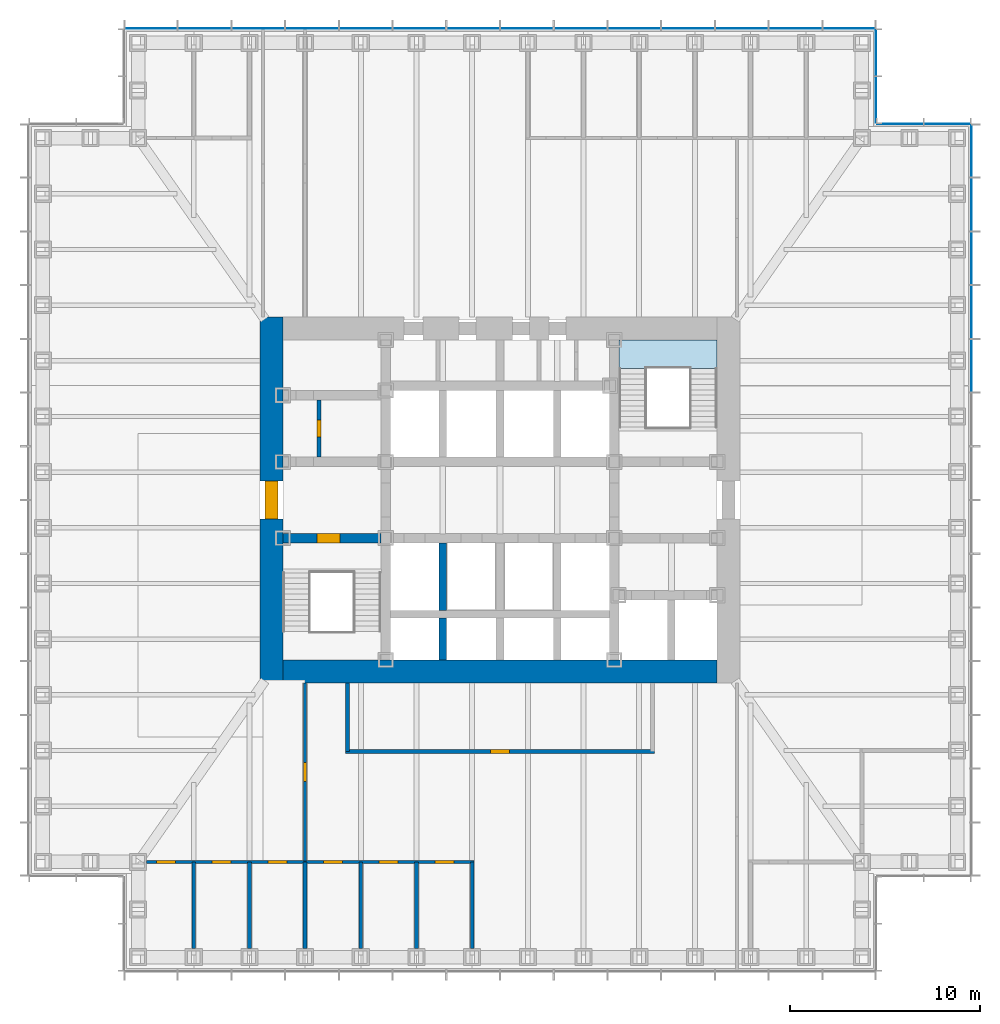
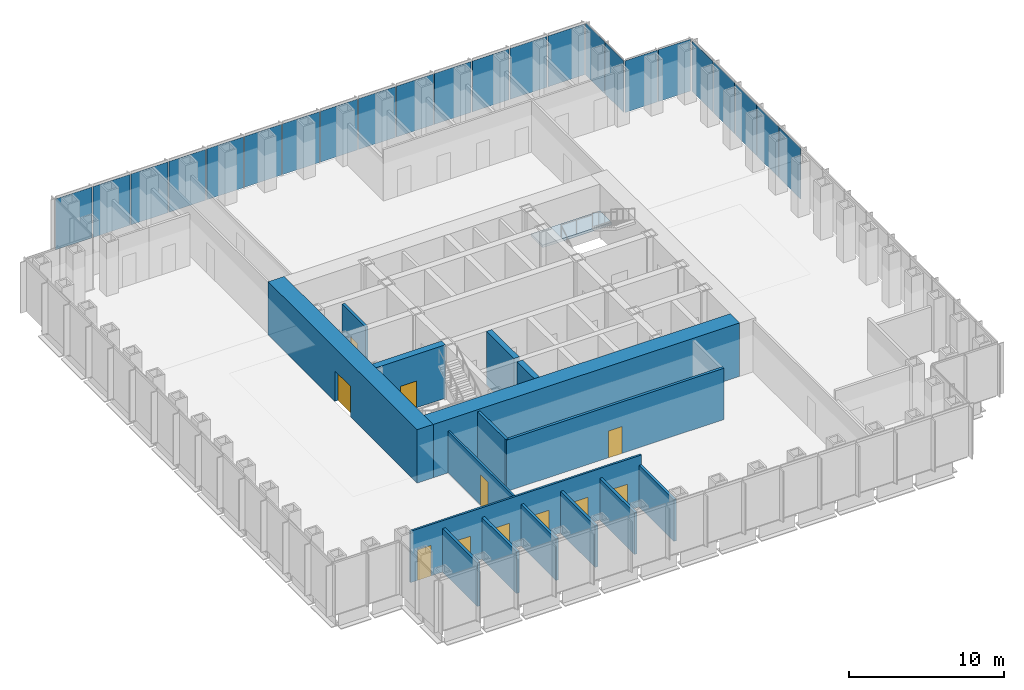
# One storey, part 8 of 16: 23 plates, 16 walls, 11 doors, 1 slab, 11 openings, 5 elements without a shape of their own.
"""IFC4 building model written with IfcOpenShell, lengths in metres."""

import ifcopenshell
import ifcopenshell.guid

model = None  # the IFC model being written
_history = None  # IfcOwnerHistory: only IFC2X3 demands one
_inside = {}  # id of a spatial element -> (the spatial element, [elements in it])
_under = {}  # id of a project, library or spatial element -> (it, [spatial elements below it])
_declared = {}  # id of a project -> (the project, [libraries it declares])
_typed = {}  # id of a type object -> (the type object, [elements of that type])
_made_of = {}  # id of a material, layer set ... -> (it, [elements and type objects made of it])


def new_model(schema):
    """Start an empty IFC model of exactly this schema.

    Asked for "IFC4X3", IfcOpenShell would pick the latest addendum, in which some entities
    have other attributes; the version numbers below select the first issue.
    IFC2X3 requires an IfcOwnerHistory on every rooted entity: one is made here for all.
    """
    global model, _history
    if schema == "IFC4X3":
        model = ifcopenshell.file(schema_version=(4, 3, 0, 0))
    else:
        model = ifcopenshell.file(schema=schema)
    _inside.clear()
    _under.clear()
    _declared.clear()
    _typed.clear()
    _made_of.clear()
    _history = None
    if model.schema == "IFC2X3":
        org = make("IfcOrganization", Name="unknown")
        user = make(
            "IfcPersonAndOrganization",
            ThePerson=make("IfcPerson", FamilyName="unknown"),
            TheOrganization=org,
        )
        app = make(
            "IfcApplication",
            ApplicationDeveloper=org,
            Version="unknown",
            ApplicationFullName="unknown",
            ApplicationIdentifier="unknown",
        )
        _history = make(
            "IfcOwnerHistory",
            OwningUser=user,
            OwningApplication=app,
            ChangeAction="ADDED",
            CreationDate=0,
        )
    return model


def make(cls, **values):
    """One entity of the class cls with the attributes given. An attribute that is None is left unset."""
    return model.create_entity(
        cls, **{name: value for name, value in values.items() if value is not None}
    )


def rooted(cls, **values):
    """An entity with a GlobalId (a new one), such as an element, a storey or a relation."""
    return make(cls, GlobalId=ifcopenshell.guid.new(), OwnerHistory=_history, **values)


def si_unit(unit_type, name, prefix=None):
    """IfcSIUnit, for example si_unit("LENGTHUNIT", "METRE", prefix="MILLI")."""
    return make("IfcSIUnit", UnitType=unit_type, Prefix=prefix, Name=name)


def assignment(units):
    """IfcUnitAssignment: the units of a project."""
    return None if units is None else make("IfcUnitAssignment", Units=units)


def point(xyz):
    """IfcCartesianPoint."""
    return None if xyz is None else make("IfcCartesianPoint", Coordinates=xyz)


def direction(xyz):
    """IfcDirection."""
    return None if xyz is None else make("IfcDirection", DirectionRatios=xyz)


def frame(location, z_axis=None, x_axis=None):
    """IfcAxis2Placement3D, a coordinate frame: its origin and axes. An axis left out is left unset."""
    return make(
        "IfcAxis2Placement3D",
        Location=point(location),
        Axis=direction(z_axis),
        RefDirection=direction(x_axis),
    )


def frame_2d(location, x_axis=None):
    """IfcAxis2Placement2D, a coordinate frame in the plane: its origin and x axis."""
    return make(
        "IfcAxis2Placement2D", Location=point(location), RefDirection=direction(x_axis)
    )


def origin():
    """The frame at (0, 0, 0) with its axes left unset."""
    return frame((0.0, 0.0, 0.0))


def origin_2d():
    """The frame at (0, 0) in the plane with its x axis left unset."""
    return frame_2d((0.0, 0.0))


def place(relative_to, where):
    """IfcLocalPlacement: puts the frame where relative to a parent placement (None: the world)."""
    return make(
        "IfcLocalPlacement", PlacementRelTo=relative_to, RelativePlacement=where
    )


def context(
    kind, dimensions, precision=None, world=None, true_north=None, identifier=None
):
    """IfcGeometricRepresentationContext, for example the 3D "Model" context."""
    return make(
        "IfcGeometricRepresentationContext",
        ContextIdentifier=identifier,
        ContextType=kind,
        CoordinateSpaceDimension=dimensions,
        Precision=precision,
        WorldCoordinateSystem=world,
        TrueNorth=true_north,
    )


def subcontext(parent, identifier, kind, view, scale=None):
    """IfcGeometricRepresentationSubContext, for example "Body" below "Model"."""
    return make(
        "IfcGeometricRepresentationSubContext",
        ContextIdentifier=identifier,
        ContextType=kind,
        ParentContext=parent,
        TargetScale=scale,
        TargetView=view,
    )


def project(units=None, contexts=None):
    """IfcProject with its units and contexts."""
    return rooted(
        "IfcProject",
        Name="project",
        RepresentationContexts=contexts,
        UnitsInContext=assignment(units),
    )


def spatial(cls, under=None, at=None, **own):
    """A site, building, storey or space (cls), placed at a placement, below another one or the project."""
    s = rooted(cls, ObjectPlacement=at, **own)
    if under is not None:
        _under.setdefault(under.id(), (under, []))[1].append(s)
    return s


def polyline(points):
    """IfcPolyline through the points."""
    return make("IfcPolyline", Points=[point(p) for p in points])


def profile(cls, at=None, kind="AREA", **sizes):
    """A parametric profile (cls). Its sizes go by their IFC names, for example OverallWidth=200.0."""
    return make(cls, ProfileType=kind, Position=at, **sizes)


def rectangle(**sizes):
    """IfcRectangleProfileDef."""
    return profile("IfcRectangleProfileDef", **sizes)


def outline(outer, holes=None, kind="AREA"):
    """IfcArbitraryClosedProfileDef: a profile drawn as a closed curve; with holes, ...WithVoids."""
    if holes is None:
        return make("IfcArbitraryClosedProfileDef", ProfileType=kind, OuterCurve=outer)
    return make(
        "IfcArbitraryProfileDefWithVoids",
        ProfileType=kind,
        OuterCurve=outer,
        InnerCurves=holes,
    )


def extrude(swept, where, along, depth):
    """IfcExtrudedAreaSolid: the profile swept, set in the frame where, extruded along a direction by depth."""
    return make(
        "IfcExtrudedAreaSolid",
        SweptArea=swept,
        Position=where,
        ExtrudedDirection=direction(along),
        Depth=depth,
    )


def shape(context_of_items, identifier, shape_type, items):
    """IfcShapeRepresentation: the items that make up one representation, for example the "Body"."""
    return make(
        "IfcShapeRepresentation",
        ContextOfItems=context_of_items,
        RepresentationIdentifier=identifier,
        RepresentationType=shape_type,
        Items=items,
    )


def material(Name=None, Category=None):
    """IfcMaterial."""
    return make("IfcMaterial", Name=Name, Category=Category)


def layer(
    of_material, thickness, ventilated=None, Name=None, Category=None, Priority=None
):
    """IfcMaterialLayer: one layer of a wall or slab, of a material (None: an air gap)."""
    return make(
        "IfcMaterialLayer",
        Material=of_material,
        LayerThickness=thickness,
        IsVentilated=ventilated,
        Name=Name,
        Category=Category,
        Priority=Priority,
    )


def layer_set(layers, Name=None):
    """IfcMaterialLayerSet."""
    return make("IfcMaterialLayerSet", MaterialLayers=layers, LayerSetName=Name)


def made_of(thing, what):
    """Note that an element or type object is made of a material, layer set ...; save() writes the relation."""
    if what is not None:
        _made_of.setdefault(what.id(), (what, []))[1].append(thing)
    return thing


def type_object(cls, material=None, **own):
    """A type object (cls), such as IfcWallType, which elements share."""
    return made_of(rooted(cls, **own), material)


def element(
    cls,
    number,
    at=None,
    inside=None,
    cuts=None,
    type_object=None,
    material=None,
    context=None,
    identifier="Body",
    shape_type=None,
    held_by="IfcProductDefinitionShape",
    body=None,
    shapes=None,
    **own,
):
    """One element of the class cls, such as IfcWall. Its Tag is "e" and its number.

    at: its placement. inside: the storey or other place that contains it. cuts: it is an
    opening in that element (IfcRelVoidsElement). A single representation is given by context,
    identifier, shape_type and body (its items); several are given by shapes. held_by: the class
    of the entity that holds the representations. save() writes the other relations.
    """
    e = rooted(cls, Tag="e%d" % number, ObjectPlacement=at, **own)
    if body is not None:
        shapes = [shape(context, identifier, shape_type, body)]
    if shapes is not None:
        e.Representation = make(held_by, Representations=shapes)
    if inside is not None:
        _inside.setdefault(inside.id(), (inside, []))[1].append(e)
    if cuts is not None:
        rooted(
            "IfcRelVoidsElement", RelatingBuildingElement=cuts, RelatedOpeningElement=e
        )
    if type_object is not None:
        _typed.setdefault(type_object.id(), (type_object, []))[1].append(e)
    return made_of(e, material)


def fill(opening, filler):
    """IfcRelFillsElement: the door or window that sits in an opening."""
    return rooted(
        "IfcRelFillsElement",
        RelatingOpeningElement=opening,
        RelatedBuildingElement=filler,
    )


def aggregate(whole, parts):
    """IfcRelAggregates: a whole, such as a stair, and the parts it consists of."""
    return rooted("IfcRelAggregates", RelatingObject=whole, RelatedObjects=parts)


def save(model, path):
    """Write the relations noted so far, then the file.

    IfcRelAggregates (storeys below a building ...), IfcRelContainedInSpatialStructure (elements
    in a storey), IfcRelDefinesByType, IfcRelAssociatesMaterial and IfcRelDeclares: one each for
    every whole, place, type object, material and project.
    """
    for whole, parts in _under.values():
        aggregate(whole, parts)
    for where, things in _inside.values():
        rooted(
            "IfcRelContainedInSpatialStructure",
            RelatedElements=things,
            RelatingStructure=where,
        )
    for kind, things in _typed.values():
        rooted("IfcRelDefinesByType", RelatedObjects=things, RelatingType=kind)
    for what, things in _made_of.values():
        rooted("IfcRelAssociatesMaterial", RelatedObjects=things, RelatingMaterial=what)
    for by, libraries in _declared.values():
        rooted("IfcRelDeclares", RelatingContext=by, RelatedDefinitions=libraries)
    model.write(path)


model = new_model("IFC4")

# Units and contexts
model_context = context("Model", 3, precision=1e-05, world=origin(), true_north=direction((0.0, 1.0)))
body_context = subcontext(model_context, "Body", "Model", "MODEL_VIEW")
ifc_project = project(units=[si_unit("LENGTHUNIT", "METRE"), si_unit("AREAUNIT", "SQUARE_METRE"), si_unit("VOLUMEUNIT", "CUBIC_METRE"), si_unit("PLANEANGLEUNIT", "RADIAN"), si_unit("MASSUNIT", "GRAM", prefix="KILO")], contexts=[model_context])

# Site, building, storey
site_placement = place(None, origin())
site = spatial("IfcSite", under=ifc_project, at=site_placement, CompositionType="ELEMENT")
building_placement = place(site_placement, origin())
building = spatial("IfcBuilding", under=site, at=building_placement, Name="Daluyong Arena Tower", CompositionType="ELEMENT")
storey_placement = place(building_placement, frame((0.0, 0.0, 93.699951171875)))
storey = spatial("IfcBuildingStorey", under=building, at=storey_placement, Name="L20", CompositionType="ELEMENT", Elevation=93.699951171875)

# Curtain wall, plates
ifc_material_1 = material(Name="Bronze anodised aluminium and glass", Category="aluminium")
curtain_wall_type_1 = type_object("IfcCurtainWallType", Name="Curtain wall CW1", PredefinedType="USERDEFINED", material=ifc_material_1)
curtain_wall_1_placement = place(storey_placement, origin())
curtain_wall_1 = element("IfcCurtainWall", 1, at=curtain_wall_1_placement, inside=storey, type_object=curtain_wall_type_1, Name="curtain wall L20 E", ObjectType="UNITISED CURTAIN WALL", PredefinedType="USERDEFINED")
ifc_material_2 = material(Name="Tinted double glazed unit", Category="glass")
ifc_layer_1 = layer(ifc_material_2, 0.031982421875)
ifc_layer_set_1 = layer_set([ifc_layer_1], Name="Tinted double glazed unit")
plate_type_1 = type_object("IfcPlateType", Name="CW1 panel 32", PredefinedType="CURTAIN_PANEL", material=ifc_layer_set_1)
plate_1_placement = place(storey_placement, frame((80.75, 87.053466796875, 0.0), z_axis=(0.0, 0.0, 1.0), x_axis=(0.0, 1.0, 0.0)))
plate_1 = element("IfcPlate", 2, at=plate_1_placement, type_object=plate_type_1, Name="curtain wall L20 E panel 10", PredefinedType="CURTAIN_PANEL", context=body_context, shape_type="SweptSolid", body=[
    extrude(rectangle(XDim=2.741455078125, YDim=0.031982421875, at=origin_2d()), origin(), (0.0, 0.0, 1.0), 4.0),
])
plate_2_placement = place(storey_placement, frame((80.75, 89.875, 0.0), z_axis=(0.0, 0.0, 1.0), x_axis=(0.0, 1.0, 0.0)))
plate_2 = element("IfcPlate", 3, at=plate_2_placement, type_object=plate_type_1, Name="curtain wall L20 E panel 11", PredefinedType="CURTAIN_PANEL", context=body_context, shape_type="SweptSolid", body=[
    extrude(rectangle(XDim=2.741455078125, YDim=0.031982421875, at=origin_2d()), origin(), (0.0, 0.0, 1.0), 4.0),
])
plate_3_placement = place(storey_placement, frame((80.75, 92.696533203125, 0.0), z_axis=(0.0, 0.0, 1.0), x_axis=(0.0, 1.0, 0.0)))
plate_3 = element("IfcPlate", 4, at=plate_3_placement, type_object=plate_type_1, Name="curtain wall L20 E panel 12", PredefinedType="CURTAIN_PANEL", context=body_context, shape_type="SweptSolid", body=[
    extrude(rectangle(XDim=2.741455078125, YDim=0.031982421875, at=origin_2d()), origin(), (0.0, 0.0, 1.0), 4.0),
])
plate_4_placement = place(storey_placement, frame((80.75, 95.517822265625, 0.0), z_axis=(0.0, 0.0, 1.0), x_axis=(0.0, 1.0, 0.0)))
plate_4 = element("IfcPlate", 5, at=plate_4_placement, type_object=plate_type_1, Name="curtain wall L20 E panel 13", PredefinedType="CURTAIN_PANEL", context=body_context, shape_type="SweptSolid", body=[
    extrude(rectangle(XDim=2.741455078125, YDim=0.031982421875, at=origin_2d()), origin(), (0.0, 0.0, 1.0), 4.0),
])
plate_5_placement = place(storey_placement, frame((80.75, 98.3193359375, 0.0), z_axis=(0.0, 0.0, 1.0), x_axis=(0.0, 1.0, 0.0)))
plate_5 = element("IfcPlate", 6, at=plate_5_placement, type_object=plate_type_1, Name="curtain wall L20 E panel 14", PredefinedType="CURTAIN_PANEL", context=body_context, shape_type="SweptSolid", body=[
    extrude(rectangle(XDim=2.701416015625, YDim=0.031982421875, at=origin_2d()), origin(), (0.0, 0.0, 1.0), 4.0),
])
aggregate(curtain_wall_1, [plate_1, plate_2, plate_3, plate_4, plate_5])

curtain_wall_2_placement = place(storey_placement, origin())
curtain_wall_2 = element("IfcCurtainWall", 7, at=curtain_wall_2_placement, inside=storey, type_object=curtain_wall_type_1, Name="curtain wall L20 N", ObjectType="UNITISED CURTAIN WALL", PredefinedType="USERDEFINED")
plate_6_placement = place(storey_placement, frame((74.3193359375, 104.75, 0.0), z_axis=(0.0, 0.0, 1.0), x_axis=(-1.0, 0.0, 0.0)))
plate_6 = element("IfcPlate", 8, at=plate_6_placement, type_object=plate_type_1, Name="curtain wall L20 N panel 1", PredefinedType="CURTAIN_PANEL", context=body_context, shape_type="SweptSolid", body=[
    extrude(rectangle(XDim=2.701416015625, YDim=0.031982421875, at=origin_2d()), origin(), (0.0, 0.0, 1.0), 4.0),
])
plate_7_placement = place(storey_placement, frame((71.517822265625, 104.75, 0.0), z_axis=(0.0, 0.0, 1.0), x_axis=(-1.0, 0.0, 0.0)))
plate_7 = element("IfcPlate", 9, at=plate_7_placement, type_object=plate_type_1, Name="curtain wall L20 N panel 2", PredefinedType="CURTAIN_PANEL", context=body_context, shape_type="SweptSolid", body=[
    extrude(rectangle(XDim=2.741455078125, YDim=0.031982421875, at=origin_2d()), origin(), (0.0, 0.0, 1.0), 4.0),
])
plate_8_placement = place(storey_placement, frame((68.696533203125, 104.75, 0.0), z_axis=(0.0, 0.0, 1.0), x_axis=(-1.0, 0.0, 0.0)))
plate_8 = element("IfcPlate", 10, at=plate_8_placement, type_object=plate_type_1, Name="curtain wall L20 N panel 3", PredefinedType="CURTAIN_PANEL", context=body_context, shape_type="SweptSolid", body=[
    extrude(rectangle(XDim=2.741455078125, YDim=0.031982421875, at=origin_2d()), origin(), (0.0, 0.0, 1.0), 4.0),
])
plate_9_placement = place(storey_placement, frame((65.875, 104.75, 0.0), z_axis=(0.0, 0.0, 1.0), x_axis=(-1.0, 0.0, 0.0)))
plate_9 = element("IfcPlate", 11, at=plate_9_placement, type_object=plate_type_1, Name="curtain wall L20 N panel 4", PredefinedType="CURTAIN_PANEL", context=body_context, shape_type="SweptSolid", body=[
    extrude(rectangle(XDim=2.741455078125, YDim=0.031982421875, at=origin_2d()), origin(), (0.0, 0.0, 1.0), 4.0),
])
plate_10_placement = place(storey_placement, frame((63.053466796875, 104.75, 0.0), z_axis=(0.0, 0.0, 1.0), x_axis=(-1.0, 0.0, 0.0)))
plate_10 = element("IfcPlate", 12, at=plate_10_placement, type_object=plate_type_1, Name="curtain wall L20 N panel 5", PredefinedType="CURTAIN_PANEL", context=body_context, shape_type="SweptSolid", body=[
    extrude(rectangle(XDim=2.741455078125, YDim=0.031982421875, at=origin_2d()), origin(), (0.0, 0.0, 1.0), 4.0),
])
plate_11_placement = place(storey_placement, frame((60.232177734375, 104.75, 0.0), z_axis=(0.0, 0.0, 1.0), x_axis=(-1.0, 0.0, 0.0)))
plate_11 = element("IfcPlate", 13, at=plate_11_placement, type_object=plate_type_1, Name="curtain wall L20 N panel 6", PredefinedType="CURTAIN_PANEL", context=body_context, shape_type="SweptSolid", body=[
    extrude(rectangle(XDim=2.741455078125, YDim=0.031982421875, at=origin_2d()), origin(), (0.0, 0.0, 1.0), 4.0),
])
plate_12_placement = place(storey_placement, frame((57.41064453125, 104.75, 0.0), z_axis=(0.0, 0.0, 1.0), x_axis=(-1.0, 0.0, 0.0)))
plate_12 = element("IfcPlate", 14, at=plate_12_placement, type_object=plate_type_1, Name="curtain wall L20 N panel 7", PredefinedType="CURTAIN_PANEL", context=body_context, shape_type="SweptSolid", body=[
    extrude(rectangle(XDim=2.741455078125, YDim=0.031982421875, at=origin_2d()), origin(), (0.0, 0.0, 1.0), 4.0),
])
plate_13_placement = place(storey_placement, frame((54.58935546875, 104.75, 0.0), z_axis=(0.0, 0.0, 1.0), x_axis=(-1.0, 0.0, 0.0)))
plate_13 = element("IfcPlate", 15, at=plate_13_placement, type_object=plate_type_1, Name="curtain wall L20 N panel 8", PredefinedType="CURTAIN_PANEL", context=body_context, shape_type="SweptSolid", body=[
    extrude(rectangle(XDim=2.741455078125, YDim=0.031982421875, at=origin_2d()), origin(), (0.0, 0.0, 1.0), 4.0),
])
plate_14_placement = place(storey_placement, frame((51.767822265625, 104.75, 0.0), z_axis=(0.0, 0.0, 1.0), x_axis=(-1.0, 0.0, 0.0)))
plate_14 = element("IfcPlate", 16, at=plate_14_placement, type_object=plate_type_1, Name="curtain wall L20 N panel 9", PredefinedType="CURTAIN_PANEL", context=body_context, shape_type="SweptSolid", body=[
    extrude(rectangle(XDim=2.741455078125, YDim=0.031982421875, at=origin_2d()), origin(), (0.0, 0.0, 1.0), 4.0),
])
plate_15_placement = place(storey_placement, frame((48.946533203125, 104.75, 0.0), z_axis=(0.0, 0.0, 1.0), x_axis=(-1.0, 0.0, 0.0)))
plate_15 = element("IfcPlate", 17, at=plate_15_placement, type_object=plate_type_1, Name="curtain wall L20 N panel 10", PredefinedType="CURTAIN_PANEL", context=body_context, shape_type="SweptSolid", body=[
    extrude(rectangle(XDim=2.741455078125, YDim=0.031982421875, at=origin_2d()), origin(), (0.0, 0.0, 1.0), 4.0),
])
plate_16_placement = place(storey_placement, frame((46.125, 104.75, 0.0), z_axis=(0.0, 0.0, 1.0), x_axis=(-1.0, 0.0, 0.0)))
plate_16 = element("IfcPlate", 18, at=plate_16_placement, type_object=plate_type_1, Name="curtain wall L20 N panel 11", PredefinedType="CURTAIN_PANEL", context=body_context, shape_type="SweptSolid", body=[
    extrude(rectangle(XDim=2.741455078125, YDim=0.031982421875, at=origin_2d()), origin(), (0.0, 0.0, 1.0), 4.0),
])
plate_17_placement = place(storey_placement, frame((43.303466796875, 104.75, 0.0), z_axis=(0.0, 0.0, 1.0), x_axis=(-1.0, 0.0, 0.0)))
plate_17 = element("IfcPlate", 19, at=plate_17_placement, type_object=plate_type_1, Name="curtain wall L20 N panel 12", PredefinedType="CURTAIN_PANEL", context=body_context, shape_type="SweptSolid", body=[
    extrude(rectangle(XDim=2.741455078125, YDim=0.031982421875, at=origin_2d()), origin(), (0.0, 0.0, 1.0), 4.0),
])
plate_18_placement = place(storey_placement, frame((40.482177734375, 104.75, 0.0), z_axis=(0.0, 0.0, 1.0), x_axis=(-1.0, 0.0, 0.0)))
plate_18 = element("IfcPlate", 20, at=plate_18_placement, type_object=plate_type_1, Name="curtain wall L20 N panel 13", PredefinedType="CURTAIN_PANEL", context=body_context, shape_type="SweptSolid", body=[
    extrude(rectangle(XDim=2.741455078125, YDim=0.031982421875, at=origin_2d()), origin(), (0.0, 0.0, 1.0), 4.0),
])
plate_19_placement = place(storey_placement, frame((37.6806640625, 104.75, 0.0), z_axis=(0.0, 0.0, 1.0), x_axis=(-1.0, 0.0, 0.0)))
plate_19 = element("IfcPlate", 21, at=plate_19_placement, type_object=plate_type_1, Name="curtain wall L20 N panel 14", PredefinedType="CURTAIN_PANEL", context=body_context, shape_type="SweptSolid", body=[
    extrude(rectangle(XDim=2.701416015625, YDim=0.031982421875, at=origin_2d()), origin(), (0.0, 0.0, 1.0), 4.0),
])
aggregate(curtain_wall_2, [plate_6, plate_7, plate_8, plate_9, plate_10, plate_11, plate_12, plate_13, plate_14, plate_15, plate_16, plate_17, plate_18, plate_19])

ifc_material_3 = material(Name="Bronze anodised aluminium and glass", Category="aluminium")
curtain_wall_type_2 = type_object("IfcCurtainWallType", Name="Curtain wall CW7", PredefinedType="USERDEFINED", material=ifc_material_3)
curtain_wall_3_placement = place(storey_placement, origin())
curtain_wall_3 = element("IfcCurtainWall", 22, at=curtain_wall_3_placement, inside=storey, type_object=curtain_wall_type_2, Name="curtain wall L20 NE-N", ObjectType="UNITISED CURTAIN WALL", PredefinedType="USERDEFINED")
ifc_material_4 = material(Name="Tinted double glazed unit", Category="glass")
ifc_layer_2 = layer(ifc_material_4, 0.028076171875)
ifc_layer_set_2 = layer_set([ifc_layer_2], Name="Tinted double glazed unit")
plate_type_2 = type_object("IfcPlateType", Name="CW7 panel 28", PredefinedType="CURTAIN_PANEL", material=ifc_layer_set_2)
plate_20_placement = place(storey_placement, frame((79.485107421875, 99.75, 0.0), z_axis=(0.0, 0.0, 1.0), x_axis=(-1.0, 0.0, 0.0)))
plate_20 = element("IfcPlate", 23, at=plate_20_placement, type_object=plate_type_2, Name="curtain wall L20 NE-N panel 1", PredefinedType="CURTAIN_PANEL", context=body_context, shape_type="SweptSolid", body=[
    extrude(rectangle(XDim=2.409912109375, YDim=0.028076171875, at=origin_2d()), origin(), (0.0, 0.0, 1.0), 4.080078125),
])
plate_21_placement = place(storey_placement, frame((77.014892578125, 99.75, 0.0), z_axis=(0.0, 0.0, 1.0), x_axis=(-1.0, 0.0, 0.0)))
plate_21 = element("IfcPlate", 24, at=plate_21_placement, type_object=plate_type_2, Name="curtain wall L20 NE-N panel 2", PredefinedType="CURTAIN_PANEL", context=body_context, shape_type="SweptSolid", body=[
    extrude(rectangle(XDim=2.409912109375, YDim=0.028076171875, at=origin_2d()), origin(), (0.0, 0.0, 1.0), 4.080078125),
])
aggregate(curtain_wall_3, [plate_20, plate_21])

curtain_wall_4_placement = place(storey_placement, origin())
curtain_wall_4 = element("IfcCurtainWall", 25, at=curtain_wall_4_placement, inside=storey, type_object=curtain_wall_type_2, Name="curtain wall L20 NE-E", ObjectType="UNITISED CURTAIN WALL", PredefinedType="USERDEFINED")
plate_22_placement = place(storey_placement, frame((75.75, 101.014892578125, 0.0), z_axis=(0.0, 0.0, 1.0), x_axis=(0.0, 1.0, 0.0)))
plate_22 = element("IfcPlate", 26, at=plate_22_placement, type_object=plate_type_2, Name="curtain wall L20 NE-E panel 1", PredefinedType="CURTAIN_PANEL", context=body_context, shape_type="SweptSolid", body=[
    extrude(rectangle(XDim=2.409912109375, YDim=0.028076171875, at=origin_2d()), origin(), (0.0, 0.0, 1.0), 4.080078125),
])
plate_23_placement = place(storey_placement, frame((75.75, 103.485107421875, 0.0), z_axis=(0.0, 0.0, 1.0), x_axis=(0.0, 1.0, 0.0)))
plate_23 = element("IfcPlate", 27, at=plate_23_placement, type_object=plate_type_2, Name="curtain wall L20 NE-E panel 2", PredefinedType="CURTAIN_PANEL", context=body_context, shape_type="SweptSolid", body=[
    extrude(rectangle(XDim=2.409912109375, YDim=0.028076171875, at=origin_2d()), origin(), (0.0, 0.0, 1.0), 4.080078125),
])
aggregate(curtain_wall_4, [plate_22, plate_23])

# Stair, slab
ifc_material_5 = material(Name="Concrete fc' 35 MPa", Category="concrete")
stair_type = type_object("IfcStairType", Name="Core exit stair", PredefinedType="HALF_TURN_STAIR", material=ifc_material_5)
stair_placement = place(storey_placement, origin())
stair = element("IfcStair", 28, at=stair_placement, inside=storey, type_object=stair_type, Name="exit stair B L20", PredefinedType="HALF_TURN_STAIR")
ifc_material_6 = material(Name="Concrete fc' 35 MPa", Category="concrete")
ifc_layer_3 = layer(ifc_material_6, 0.199951171875)
ifc_layer_set_3 = layer_set([ifc_layer_3], Name="Concrete fc' 35 MPa")
slab_type = type_object("IfcSlabType", Name="Stair landing 200", PredefinedType="LANDING", material=ifc_layer_set_3)
slab_placement = place(storey_placement, frame((0.0, 0.0, 1.900146484375)))
slab = element("IfcSlab", 29, at=slab_placement, type_object=slab_type, Name="STB landing 1", PredefinedType="LANDING", context=body_context, shape_type="SweptSolid", body=[
    extrude(outline(polyline([(62.25, 86.905029296875), (67.39990234375, 86.905029296875), (67.39990234375, 88.39990234375), (62.25, 88.39990234375), (62.25, 86.905029296875)])), origin(), (0.0, 0.0, 1.0), 0.199951171875),
])
aggregate(stair, [slab])

# Wall, opening, door
ifc_material_7 = material(Name="Concrete fc' 45 MPa", Category="concrete")
ifc_layer_4 = layer(ifc_material_7, 0.5)
ifc_layer_set_4 = layer_set([ifc_layer_4], Name="Concrete fc' 45 MPa")
wall_type_1 = type_object("IfcWallType", Name="Core inner wall 500", PredefinedType="SHEAR", material=ifc_layer_set_4)
wall_1_placement = place(storey_placement, frame((44.60009765625, 78.0, 0.0), z_axis=(0.0, 0.0, 1.0), x_axis=(1.0, 0.0, 0.0)))
wall_1 = element("IfcWall", 30, at=wall_1_placement, inside=storey, type_object=wall_type_1, Name="core inner wall at L20", PredefinedType="SHEAR", context=body_context, shape_type="SweptSolid", body=[
    extrude(rectangle(XDim=5.14990234375, YDim=0.5, at=frame_2d((2.574951171875, 0.0))), origin(), (0.0, 0.0, 1.0), 4.199951171875),
])
opening_1_placement = place(wall_1_placement, frame((1.800048828125, 0.0, 0.0)))
opening_1 = element("IfcOpeningElement", 31, at=opening_1_placement, cuts=wall_1, Name="Opening 20009", PredefinedType="OPENING", context=body_context, shape_type="SweptSolid", body=[
    extrude(rectangle(XDim=1.199951171875, YDim=2.10009765625, at=frame_2d((0.60009765625, 1.050048828125))), frame((0.0, 0.260009765625, 0.0), z_axis=(0.0, -1.0, 0.0), x_axis=(1.0, 0.0, 0.0)), (0.0, 0.0, 1.0), 0.52001953125),
])
ifc_material_8 = material(Name="Steel door, fire rated", Category="steel")
door_type_1 = type_object("IfcDoorType", Name="Stair door 1200", OperationType="SINGLE_SWING_LEFT", PredefinedType="DOOR", material=ifc_material_8)
door_1_placement = place(opening_1_placement, origin())
door_1 = element("IfcDoor", 32, at=door_1_placement, inside=storey, type_object=door_type_1, Name="stair A door 20009", OperationType="SINGLE_SWING_LEFT", OverallHeight=2.10009765625, OverallWidth=1.199951171875, PredefinedType="DOOR", context=body_context, shape_type="SweptSolid", body=[
    extrude(rectangle(XDim=1.199951171875, YDim=2.10009765625, at=frame_2d((0.60009765625, 1.050048828125))), frame((0.0, 0.249755859375, 0.0), z_axis=(0.0, -1.0, 0.0), x_axis=(1.0, 0.0, 0.0)), (0.0, 0.0, 1.0), 0.49951171875),
])
fill(opening_1, door_1)

ifc_material_9 = material(Name="Concrete fc' 60 MPa", Category="concrete")
ifc_layer_5 = layer(ifc_material_9, 1.199951171875)
ifc_layer_set_5 = layer_set([ifc_layer_5], Name="Concrete fc' 60 MPa")
wall_type_2 = type_object("IfcWallType", Name="Core wall 1200", PredefinedType="SHEAR", material=ifc_layer_set_5)
wall_2_placement = place(storey_placement, frame((44.0, 70.39990234375, 0.0), z_axis=(0.0, 0.0, 1.0), x_axis=(0.0, 1.0, 0.0)))
wall_2 = element("IfcWall", 33, at=wall_2_placement, inside=storey, type_object=wall_type_2, Name="core wall at L20", PredefinedType="SHEAR", context=body_context, shape_type="SweptSolid", body=[
    extrude(rectangle(XDim=19.2001953125, YDim=1.199951171875, at=frame_2d((9.60009765625, 0.0))), origin(), (0.0, 0.0, 1.0), 4.199951171875),
])
opening_2_placement = place(wall_2_placement, frame((8.60009765625, 0.0, 0.0)))
opening_2 = element("IfcOpeningElement", 34, at=opening_2_placement, cuts=wall_2, Name="Opening 20011", PredefinedType="OPENING", context=body_context, shape_type="SweptSolid", body=[
    extrude(rectangle(XDim=2.0, YDim=2.39990234375, at=frame_2d((1.0, 1.199951171875))), frame((0.0, 0.60986328125, 0.0), z_axis=(0.0, -1.0, 0.0), x_axis=(1.0, 0.0, 0.0)), (0.0, 0.0, 1.0), 1.219970703125),
])
ifc_material_10 = material(Name="Steel door, fire rated", Category="steel")
door_type_2 = type_object("IfcDoorType", Name="Core lobby double door 2000", OperationType="DOUBLE_DOOR_SINGLE_SWING", PredefinedType="DOOR", material=ifc_material_10)
door_2_placement = place(opening_2_placement, origin())
door_2 = element("IfcDoor", 35, at=door_2_placement, inside=storey, type_object=door_type_2, Name="core lobby door west 20011", OperationType="DOUBLE_DOOR_SINGLE_SWING", OverallHeight=2.39990234375, OverallWidth=2.0, PredefinedType="DOOR", context=body_context, shape_type="SweptSolid", body=[
    extrude(rectangle(XDim=2.0, YDim=2.39990234375, at=frame_2d((1.0, 1.199951171875))), frame((0.0, 0.35009765625, 0.0), z_axis=(0.0, -1.0, 0.0), x_axis=(1.0, 0.0, 0.0)), (0.0, 0.0, 1.0), 0.699951171875),
])
fill(opening_2, door_2)

# Wall
wall_3_placement = place(storey_placement, frame((44.60009765625, 71.0, 0.0), z_axis=(0.0, 0.0, 1.0), x_axis=(1.0, 0.0, 0.0)))
element("IfcWall", 36, at=wall_3_placement, inside=storey, type_object=wall_type_2, Name="core wall at L20", PredefinedType="SHEAR", context=body_context, shape_type="SweptSolid", body=[
    extrude(rectangle(XDim=22.7998046875, YDim=1.199951171875, at=frame_2d((11.39990234375, 0.0))), origin(), (0.0, 0.0, 1.0), 4.199951171875),
])

# Wall, opening, door
ifc_material_11 = material(Name="Concrete block partition, fire rated", Category="concrete")
ifc_layer_6 = layer(ifc_material_11, 0.199951171875)
ifc_layer_set_6 = layer_set([ifc_layer_6], Name="Concrete block partition, fire rated")
wall_type_3 = type_object("IfcWallType", Name="Fire-rated partition 200", PredefinedType="PARTITIONING", material=ifc_layer_set_6)
wall_4_placement = place(storey_placement, frame((46.5, 82.25, 0.0), z_axis=(0.0, 0.0, 1.0), x_axis=(0.0, 1.0, 0.0)))
wall_4 = element("IfcWall", 37, at=wall_4_placement, inside=storey, type_object=wall_type_3, Name="toilet lobby partition at L20", PredefinedType="PARTITIONING", context=body_context, shape_type="SweptSolid", body=[
    extrude(rectangle(XDim=3.0, YDim=0.199951171875, at=frame_2d((1.5, 0.0))), origin(), (0.0, 0.0, 1.0), 4.0400390625),
])
opening_3_placement = place(wall_4_placement, frame((1.050048828125, 0.0, 0.0)))
opening_3 = element("IfcOpeningElement", 38, at=opening_3_placement, cuts=wall_4, Name="Opening 20002", PredefinedType="OPENING", context=body_context, shape_type="SweptSolid", body=[
    extrude(rectangle(XDim=0.89990234375, YDim=2.10009765625, at=frame_2d((0.449951171875, 1.050048828125))), frame((0.0, 0.10986328125, 0.0), z_axis=(0.0, -1.0, 0.0), x_axis=(1.0, 0.0, 0.0)), (0.0, 0.0, 1.0), 0.219970703125),
])
ifc_material_12 = material(Name="Timber door", Category="wood")
door_type_3 = type_object("IfcDoorType", Name="Toilet door 900", OperationType="SINGLE_SWING_RIGHT", PredefinedType="DOOR", material=ifc_material_12)
door_3_placement = place(opening_3_placement, origin())
door_3 = element("IfcDoor", 39, at=door_3_placement, inside=storey, type_object=door_type_3, Name="male toilet door 20002", OperationType="SINGLE_SWING_RIGHT", OverallHeight=2.10009765625, OverallWidth=0.89990234375, PredefinedType="DOOR", context=body_context, shape_type="SweptSolid", body=[
    extrude(rectangle(XDim=0.89990234375, YDim=2.10009765625, at=frame_2d((0.449951171875, 1.050048828125))), frame((0.0, 0.099609375, 0.0), z_axis=(0.0, -1.0, 0.0), x_axis=(1.0, 0.0, 0.0)), (0.0, 0.0, 1.0), 0.199462890625),
])
fill(opening_3, door_3)

# Wall, openings, doors
ifc_material_13 = material(Name="Glazed aluminium partition", Category="aluminium")
ifc_layer_7 = layer(ifc_material_13, 0.14990234375)
ifc_layer_set_7 = layer_set([ifc_layer_7], Name="Glazed aluminium partition")
wall_type_4 = type_object("IfcWallType", Name="Glazed partition 150", PredefinedType="PARTITIONING", material=ifc_layer_set_7)
wall_5_placement = place(storey_placement, frame((37.449951171875, 61.0, 0.0), z_axis=(0.0, 0.0, 1.0), x_axis=(1.0, 0.0, 0.0)))
wall_5 = element("IfcWall", 40, at=wall_5_placement, inside=storey, type_object=wall_type_4, Name="glazed partition at L20", PredefinedType="PARTITIONING", context=body_context, shape_type="SweptSolid", body=[
    extrude(rectangle(XDim=17.1884765625, YDim=0.14990234375, at=frame_2d((8.59423828125, 0.0))), origin(), (0.0, 0.0, 1.0), 4.0400390625),
])
opening_4_placement = place(wall_5_placement, frame((0.511474609375, 0.0, 0.0)))
opening_4 = element("IfcOpeningElement", 41, at=opening_4_placement, cuts=wall_5, Name="Opening 20022", PredefinedType="OPENING", context=body_context, shape_type="SweptSolid", body=[
    extrude(rectangle(XDim=1.0, YDim=2.39990234375, at=frame_2d((0.5, 1.199951171875))), frame((0.0, 0.0849609375, 0.0), z_axis=(0.0, -1.0, 0.0), x_axis=(1.0, 0.0, 0.0)), (0.0, 0.0, 1.0), 0.169921875),
])
opening_5_placement = place(wall_5_placement, frame((3.4345703125, 0.0, 0.0)))
opening_5 = element("IfcOpeningElement", 42, at=opening_5_placement, cuts=wall_5, Name="Opening 20023", PredefinedType="OPENING", context=body_context, shape_type="SweptSolid", body=[
    extrude(rectangle(XDim=1.0, YDim=2.10009765625, at=frame_2d((0.5, 1.050048828125))), frame((0.0, 0.0849609375, 0.0), z_axis=(0.0, -1.0, 0.0), x_axis=(1.0, 0.0, 0.0)), (0.0, 0.0, 1.0), 0.169921875),
])
opening_6_placement = place(wall_5_placement, frame((6.357666015625, 0.0, 0.0)))
opening_6 = element("IfcOpeningElement", 43, at=opening_6_placement, cuts=wall_5, Name="Opening 20024", PredefinedType="OPENING", context=body_context, shape_type="SweptSolid", body=[
    extrude(rectangle(XDim=1.0, YDim=2.10009765625, at=frame_2d((0.5, 1.050048828125))), frame((0.0, 0.0849609375, 0.0), z_axis=(0.0, -1.0, 0.0), x_axis=(1.0, 0.0, 0.0)), (0.0, 0.0, 1.0), 0.169921875),
])
opening_7_placement = place(wall_5_placement, frame((9.28076171875, 0.0, 0.0)))
opening_7 = element("IfcOpeningElement", 44, at=opening_7_placement, cuts=wall_5, Name="Opening 20025", PredefinedType="OPENING", context=body_context, shape_type="SweptSolid", body=[
    extrude(rectangle(XDim=1.0, YDim=2.10009765625, at=frame_2d((0.5, 1.050048828125))), frame((0.0, 0.0849609375, 0.0), z_axis=(0.0, -1.0, 0.0), x_axis=(1.0, 0.0, 0.0)), (0.0, 0.0, 1.0), 0.169921875),
])
opening_8_placement = place(wall_5_placement, frame((12.203857421875, 0.0, 0.0)))
opening_8 = element("IfcOpeningElement", 45, at=opening_8_placement, cuts=wall_5, Name="Opening 20026", PredefinedType="OPENING", context=body_context, shape_type="SweptSolid", body=[
    extrude(rectangle(XDim=1.0, YDim=2.10009765625, at=frame_2d((0.5, 1.050048828125))), frame((0.0, 0.0849609375, 0.0), z_axis=(0.0, -1.0, 0.0), x_axis=(1.0, 0.0, 0.0)), (0.0, 0.0, 1.0), 0.169921875),
])
opening_9_placement = place(wall_5_placement, frame((15.126953125, 0.0, 0.0)))
opening_9 = element("IfcOpeningElement", 46, at=opening_9_placement, cuts=wall_5, Name="Opening 20027", PredefinedType="OPENING", context=body_context, shape_type="SweptSolid", body=[
    extrude(rectangle(XDim=1.0, YDim=2.10009765625, at=frame_2d((0.5, 1.050048828125))), frame((0.0, 0.0849609375, 0.0), z_axis=(0.0, -1.0, 0.0), x_axis=(1.0, 0.0, 0.0)), (0.0, 0.0, 1.0), 0.169921875),
])
ifc_material_14 = material(Name="Glazed aluminium door", Category="aluminium")
door_type_4 = type_object("IfcDoorType", Name="Meeting room glazed door 1000", OperationType="SINGLE_SWING_RIGHT", PredefinedType="DOOR", material=ifc_material_14)
door_4_placement = place(opening_4_placement, origin())
door_4 = element("IfcDoor", 47, at=door_4_placement, inside=storey, type_object=door_type_4, Name="focus room door 20022", OperationType="SINGLE_SWING_RIGHT", OverallHeight=2.39990234375, OverallWidth=1.0, PredefinedType="DOOR", context=body_context, shape_type="SweptSolid", body=[
    extrude(rectangle(XDim=1.0, YDim=2.39990234375, at=frame_2d((0.5, 1.199951171875))), frame((0.0, 0.07470703125, 0.0), z_axis=(0.0, -1.0, 0.0), x_axis=(1.0, 0.0, 0.0)), (0.0, 0.0, 1.0), 0.1494140625),
])
fill(opening_4, door_4)
ifc_material_15 = material(Name="Timber door", Category="wood")
door_type_5 = type_object("IfcDoorType", Name="Room door 1000", OperationType="SINGLE_SWING_LEFT", PredefinedType="DOOR", material=ifc_material_15)
door_5_placement = place(opening_5_placement, origin())
door_5 = element("IfcDoor", 48, at=door_5_placement, inside=storey, type_object=door_type_5, Name="office door 20023", OperationType="SINGLE_SWING_LEFT", OverallHeight=2.10009765625, OverallWidth=1.0, PredefinedType="DOOR", context=body_context, shape_type="SweptSolid", body=[
    extrude(rectangle(XDim=1.0, YDim=2.10009765625, at=frame_2d((0.5, 1.050048828125))), frame((0.0, 0.07470703125, 0.0), z_axis=(0.0, -1.0, 0.0), x_axis=(1.0, 0.0, 0.0)), (0.0, 0.0, 1.0), 0.1494140625),
])
fill(opening_5, door_5)
door_6_placement = place(opening_6_placement, origin())
door_6 = element("IfcDoor", 49, at=door_6_placement, inside=storey, type_object=door_type_5, Name="office door 20024", OperationType="SINGLE_SWING_LEFT", OverallHeight=2.10009765625, OverallWidth=1.0, PredefinedType="DOOR", context=body_context, shape_type="SweptSolid", body=[
    extrude(rectangle(XDim=1.0, YDim=2.10009765625, at=frame_2d((0.5, 1.050048828125))), frame((0.0, 0.07470703125, 0.0), z_axis=(0.0, -1.0, 0.0), x_axis=(1.0, 0.0, 0.0)), (0.0, 0.0, 1.0), 0.1494140625),
])
fill(opening_6, door_6)
door_7_placement = place(opening_7_placement, origin())
door_7 = element("IfcDoor", 50, at=door_7_placement, inside=storey, type_object=door_type_5, Name="office door 20025", OperationType="SINGLE_SWING_LEFT", OverallHeight=2.10009765625, OverallWidth=1.0, PredefinedType="DOOR", context=body_context, shape_type="SweptSolid", body=[
    extrude(rectangle(XDim=1.0, YDim=2.10009765625, at=frame_2d((0.5, 1.050048828125))), frame((0.0, 0.07470703125, 0.0), z_axis=(0.0, -1.0, 0.0), x_axis=(1.0, 0.0, 0.0)), (0.0, 0.0, 1.0), 0.1494140625),
])
fill(opening_7, door_7)
door_8_placement = place(opening_8_placement, origin())
door_8 = element("IfcDoor", 51, at=door_8_placement, inside=storey, type_object=door_type_5, Name="office door 20026", OperationType="SINGLE_SWING_LEFT", OverallHeight=2.10009765625, OverallWidth=1.0, PredefinedType="DOOR", context=body_context, shape_type="SweptSolid", body=[
    extrude(rectangle(XDim=1.0, YDim=2.10009765625, at=frame_2d((0.5, 1.050048828125))), frame((0.0, 0.07470703125, 0.0), z_axis=(0.0, -1.0, 0.0), x_axis=(1.0, 0.0, 0.0)), (0.0, 0.0, 1.0), 0.1494140625),
])
fill(opening_8, door_8)
door_9_placement = place(opening_9_placement, origin())
door_9 = element("IfcDoor", 52, at=door_9_placement, inside=storey, type_object=door_type_5, Name="office door 20027", OperationType="SINGLE_SWING_LEFT", OverallHeight=2.10009765625, OverallWidth=1.0, PredefinedType="DOOR", context=body_context, shape_type="SweptSolid", body=[
    extrude(rectangle(XDim=1.0, YDim=2.10009765625, at=frame_2d((0.5, 1.050048828125))), frame((0.0, 0.07470703125, 0.0), z_axis=(0.0, -1.0, 0.0), x_axis=(1.0, 0.0, 0.0)), (0.0, 0.0, 1.0), 0.1494140625),
])
fill(opening_9, door_9)

# Wall, opening, door
wall_6_placement = place(storey_placement, frame((45.769287109375, 61.050048828125, 0.0), z_axis=(0.0, 0.0, 1.0), x_axis=(0.0, 1.0, 0.0)))
wall_6 = element("IfcWall", 53, at=wall_6_placement, inside=storey, type_object=wall_type_4, Name="glazed partition at L20", PredefinedType="PARTITIONING", context=body_context, shape_type="SweptSolid", body=[
    extrude(rectangle(XDim=9.349853515625, YDim=0.14990234375, at=frame_2d((4.6748046875, 0.0))), origin(), (0.0, 0.0, 1.0), 3.278076171875),
])
opening_10_placement = place(wall_6_placement, frame((4.175048828125, 0.0, 0.0)))
opening_10 = element("IfcOpeningElement", 54, at=opening_10_placement, cuts=wall_6, Name="Opening 20042", PredefinedType="OPENING", context=body_context, shape_type="SweptSolid", body=[
    extrude(rectangle(XDim=1.0, YDim=2.39990234375, at=frame_2d((0.5, 1.199951171875))), frame((0.0, 0.0849609375, 0.0), z_axis=(0.0, -1.0, 0.0), x_axis=(1.0, 0.0, 0.0)), (0.0, 0.0, 1.0), 0.169921875),
])
door_10_placement = place(opening_10_placement, origin())
door_10 = element("IfcDoor", 55, at=door_10_placement, inside=storey, type_object=door_type_4, Name="team area screen door 20042", OperationType="SINGLE_SWING_RIGHT", OverallHeight=2.39990234375, OverallWidth=1.0, PredefinedType="DOOR", context=body_context, shape_type="SweptSolid", body=[
    extrude(rectangle(XDim=1.0, YDim=2.39990234375, at=frame_2d((0.5, 1.199951171875))), frame((0.0, 0.07470703125, 0.0), z_axis=(0.0, -1.0, 0.0), x_axis=(1.0, 0.0, 0.0)), (0.0, 0.0, 1.0), 0.1494140625),
])
fill(opening_10, door_10)

# Walls
ifc_material_16 = material(Name="Concrete fc' 45 MPa", Category="concrete")
ifc_layer_8 = layer(ifc_material_16, 0.39990234375)
ifc_layer_set_8 = layer_set([ifc_layer_8], Name="Concrete fc' 45 MPa")
wall_type_5 = type_object("IfcWallType", Name="Lift shaft wall 400", PredefinedType="SHEAR", material=ifc_layer_set_8)
wall_7_placement = place(storey_placement, frame((53.0, 71.60009765625, 0.0), z_axis=(0.0, 0.0, 1.0), x_axis=(0.0, 1.0, 0.0)))
element("IfcWall", 56, at=wall_7_placement, inside=storey, type_object=wall_type_5, Name="lift shaft wall at L20", PredefinedType="SHEAR", context=body_context, shape_type="SweptSolid", body=[
    extrude(rectangle(XDim=2.199951171875, YDim=0.39990234375, at=frame_2d((1.10009765625, 0.0))), origin(), (0.0, 0.0, 1.0), 4.199951171875),
])
wall_8_placement = place(storey_placement, frame((53.0, 74.199951171875, 0.0), z_axis=(0.0, 0.0, 1.0), x_axis=(0.0, 1.0, 0.0)))
element("IfcWall", 57, at=wall_8_placement, inside=storey, type_object=wall_type_5, Name="lift shaft wall at L20", PredefinedType="SHEAR", context=body_context, shape_type="SweptSolid", body=[
    extrude(rectangle(XDim=3.550048828125, YDim=0.39990234375, at=frame_2d((1.77490234375, 0.0))), origin(), (0.0, 0.0, 1.0), 4.199951171875),
])
ifc_material_17 = material(Name="Concrete block partition", Category="concrete")
ifc_layer_9 = layer(ifc_material_17, 0.199951171875)
ifc_layer_set_9 = layer_set([ifc_layer_9], Name="Concrete block partition")
wall_type_6 = type_object("IfcWallType", Name="Partition 200", PredefinedType="PARTITIONING", material=ifc_layer_set_9)
wall_9_placement = place(storey_placement, frame((39.923095703125, 56.449951171875, 0.0), z_axis=(0.0, 0.0, 1.0), x_axis=(0.0, 1.0, 0.0)))
element("IfcWall", 58, at=wall_9_placement, inside=storey, type_object=wall_type_6, Name="partition at L20", PredefinedType="PARTITIONING", context=body_context, shape_type="SweptSolid", body=[
    extrude(rectangle(XDim=4.550048828125, YDim=0.199951171875, at=frame_2d((2.27490234375, 0.0))), origin(), (0.0, 0.0, 1.0), 3.427978515625),
])
for number, where, z_axis, x_axis, name in (
    (59, (42.84619140625, 56.449951171875, 0.0), (0.0, 0.0, 1.0), (0.0, 1.0, 0.0), "partition at L20"),
    (60, (45.769287109375, 56.449951171875, 0.0), (0.0, 0.0, 1.0), (0.0, 1.0, 0.0), "partition at L20"),
    (61, (48.6923828125, 56.449951171875, 0.0), (0.0, 0.0, 1.0), (0.0, 1.0, 0.0), "partition at L20"),
    (62, (51.615478515625, 56.449951171875, 0.0), (0.0, 0.0, 1.0), (0.0, 1.0, 0.0), "partition at L20"),
    (63, (54.53857421875, 56.449951171875, 0.0), (0.0, 0.0, 1.0), (0.0, 1.0, 0.0), "partition at L20"),
):
    element("IfcWall", number, at=place(storey_placement, frame(where, z_axis=z_axis, x_axis=x_axis)), inside=storey, type_object=wall_type_6, Name=name, PredefinedType="PARTITIONING", context=body_context, shape_type="SweptSolid", body=[
        extrude(rectangle(XDim=4.550048828125, YDim=0.199951171875, at=frame_2d((2.27490234375, 0.0))), origin(), (0.0, 0.0, 1.0), 3.278076171875),
    ])
wall_10_placement = place(storey_placement, frame((48.0, 66.800048828125, 0.0), z_axis=(0.0, 0.0, 1.0), x_axis=(0.0, 1.0, 0.0)))
element("IfcWall", 64, at=wall_10_placement, inside=storey, type_object=wall_type_6, Name="partition at L20", PredefinedType="PARTITIONING", context=body_context, shape_type="SweptSolid", body=[
    extrude(rectangle(XDim=3.599853515625, YDim=0.199951171875, at=frame_2d((1.7998046875, 0.0))), origin(), (0.0, 0.0, 1.0), 4.0400390625),
])

# Wall, opening, door
wall_11_placement = place(storey_placement, frame((47.89990234375, 66.800048828125, 0.0), z_axis=(0.0, 0.0, 1.0), x_axis=(1.0, 0.0, 0.0)))
wall_11 = element("IfcWall", 65, at=wall_11_placement, inside=storey, type_object=wall_type_6, Name="partition at L20", PredefinedType="PARTITIONING", context=body_context, shape_type="SweptSolid", body=[
    extrude(rectangle(XDim=16.2001953125, YDim=0.199951171875, at=frame_2d((8.10009765625, 0.0))), origin(), (0.0, 0.0, 1.0), 4.0400390625),
])
opening_11_placement = place(wall_11_placement, frame((7.60009765625, 0.0, 0.0)))
opening_11 = element("IfcOpeningElement", 66, at=opening_11_placement, cuts=wall_11, Name="Opening 20038", PredefinedType="OPENING", context=body_context, shape_type="SweptSolid", body=[
    extrude(rectangle(XDim=1.0, YDim=2.10009765625, at=frame_2d((0.5, 1.050048828125))), frame((0.0, 0.10986328125, 0.0), z_axis=(0.0, -1.0, 0.0), x_axis=(1.0, 0.0, 0.0)), (0.0, 0.0, 1.0), 0.219970703125),
])
door_11_placement = place(opening_11_placement, origin())
door_11 = element("IfcDoor", 67, at=door_11_placement, inside=storey, type_object=door_type_5, Name="training room door 20038", OperationType="SINGLE_SWING_LEFT", OverallHeight=2.10009765625, OverallWidth=1.0, PredefinedType="DOOR", context=body_context, shape_type="SweptSolid", body=[
    extrude(rectangle(XDim=1.0, YDim=2.10009765625, at=frame_2d((0.5, 1.050048828125))), frame((0.0, 0.099609375, 0.0), z_axis=(0.0, -1.0, 0.0), x_axis=(1.0, 0.0, 0.0)), (0.0, 0.0, 1.0), 0.199462890625),
])
fill(opening_11, door_11)

save(model, "model.ifc")
